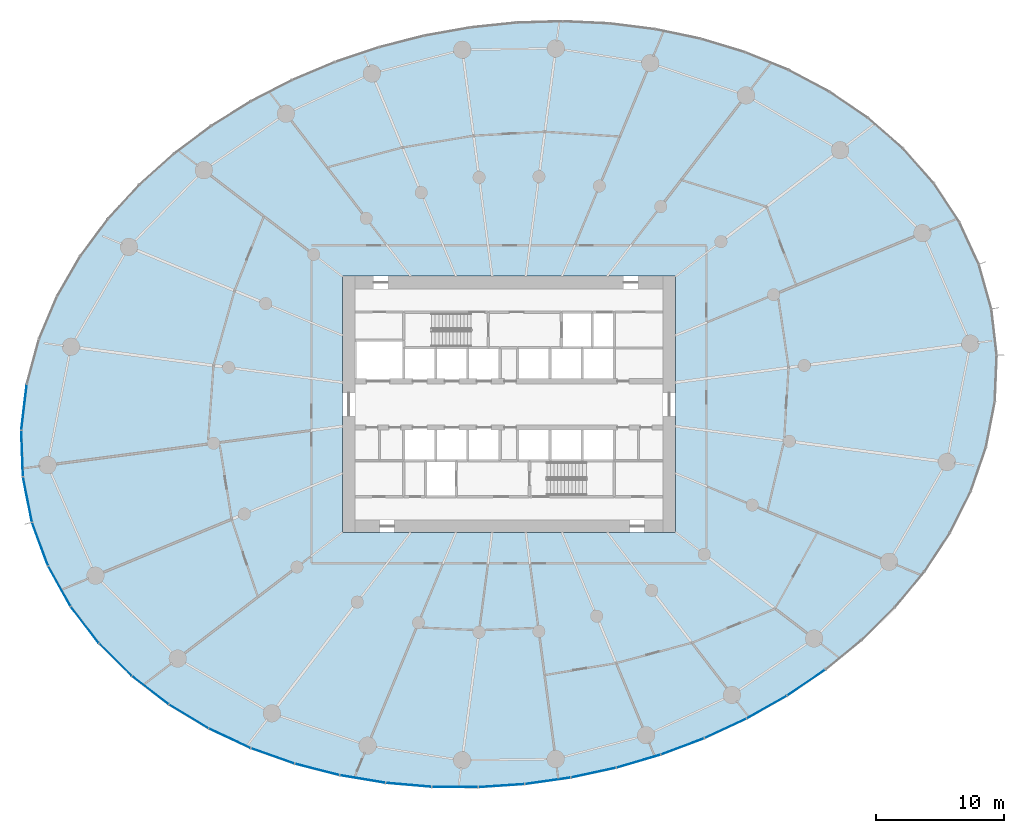
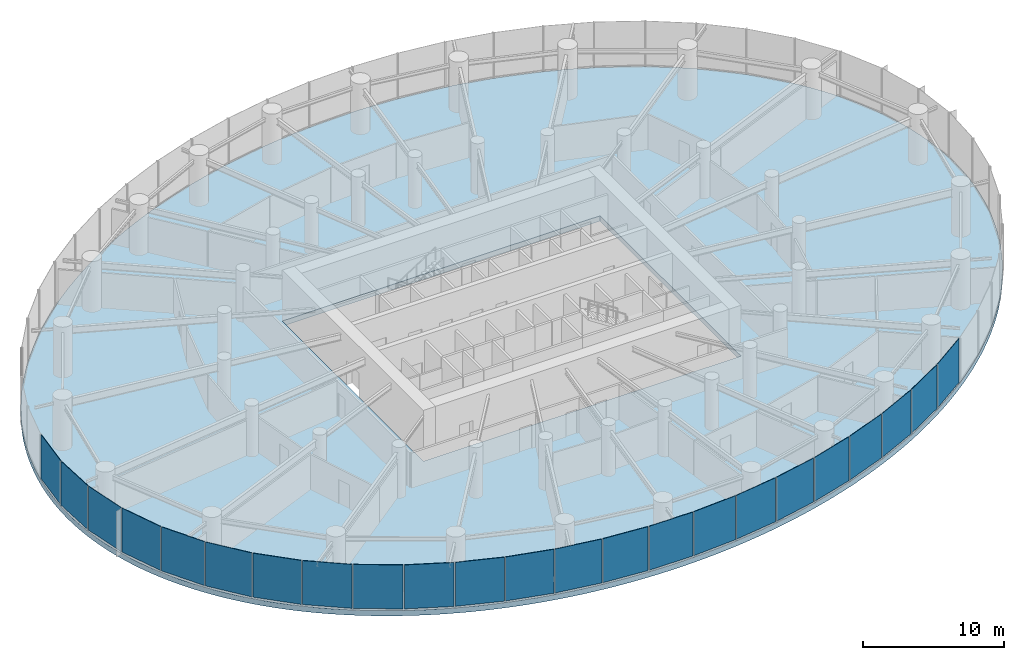
# One storey, part 10 of 19: 23 plates, 1 slab, 5 elements without a shape of their own.
"""IFC4 building model written with IfcOpenShell, lengths in metres."""

from ifc_helpers import new_model, si_unit, direction, frame, origin, origin_2d, place, context, subcontext, project, spatial, line, indexed_curve, rectangle, outline, extrude, source, transform, mapped, material, layer, layer_set, type_object, element, aggregate, save


model = new_model("IFC4")

# Units and contexts
model_context = context("Model", 3, precision=1e-05, world=origin(), true_north=direction((0.0, 1.0)))
body_context = subcontext(model_context, "Body", "Model", "MODEL_VIEW")
ifc_project = project(units=[si_unit("LENGTHUNIT", "METRE"), si_unit("AREAUNIT", "SQUARE_METRE"), si_unit("VOLUMEUNIT", "CUBIC_METRE"), si_unit("PLANEANGLEUNIT", "RADIAN"), si_unit("MASSUNIT", "GRAM", prefix="KILO")], contexts=[model_context])

# Site, building, storey
site_placement = place(None, origin())
site = spatial("IfcSite", under=ifc_project, at=site_placement, CompositionType="ELEMENT")
building_placement = place(site_placement, origin())
building = spatial("IfcBuilding", under=site, at=building_placement, Name="Spindrift Exchange Tower", CompositionType="ELEMENT")
storey_placement = place(building_placement, frame((0.0, 0.0, 57.800048828125)))
storey = spatial("IfcBuildingStorey", under=building, at=storey_placement, Name="L13", CompositionType="ELEMENT", Elevation=57.800048828125)

# Slab
ifc_material_1 = material(Name="Concrete 50 MPa", Category="concrete")
ifc_layer_1 = layer(ifc_material_1, 0.449951171875)
ifc_layer_set_1 = layer_set([ifc_layer_1], Name="RC Floor Slab 450 Concrete 50 MPa")
slab_type = type_object("IfcSlabType", Name="RC Floor Slab 450 Concrete 50 MPa", PredefinedType="FLOOR", material=ifc_layer_set_1)
slab_placement = place(storey_placement, frame((0.0, 0.0, -0.449951171875)))
element("IfcSlab", 1, at=slab_placement, inside=storey, type_object=slab_type, Name="Floor slab L13", PredefinedType="FLOOR", context=body_context, shape_type="SweptSolid", body=[
    extrude(outline(indexed_curve([(89.622802734375, 55.432861328125), (89.5, 56.0146484375), (89.36181640625, 56.593017578125), (89.208740234375, 57.16748046875), (89.04052734375, 57.73779296875), (88.857666015625, 58.3037109375), (88.66015625, 58.864501953125), (88.4482421875, 59.420166015625), (88.222412109375, 59.969970703125), (87.982177734375, 60.513916015625), (87.728515625, 61.0517578125), (87.461181640625, 61.5830078125), (87.180908203125, 62.107421875), (86.8876953125, 62.62451171875), (86.581787109375, 63.134521484375), (86.263671875, 63.63671875), (85.93359375, 64.13134765625), (85.591796875, 64.617919921875), (85.238525390625, 65.096435546875), (84.87451171875, 65.56640625), (84.499755859375, 66.0283203125), (84.11474609375, 66.481201171875), (83.719482421875, 66.925537109375), (83.314697265625, 67.361083984375), (82.900390625, 67.78759765625), (82.477294921875, 68.205322265625), (82.045166015625, 68.614013671875), (81.604736328125, 69.013427734375), (81.15625, 69.40380859375), (80.699951171875, 69.784912109375), (80.236083984375, 70.156982421875), (79.764892578125, 70.519775390625), (79.286865234375, 70.873291015625), (78.802001953125, 71.217529296875), (78.310791015625, 71.552734375), (77.813720703125, 71.878662109375), (77.310302734375, 72.195556640625), (76.801513671875, 72.503173828125), (76.287353515625, 72.8017578125), (75.767822265625, 73.09130859375), (75.24365234375, 73.37158203125), (74.714599609375, 73.64306640625), (73.64306640625, 74.158935546875), (73.10107421875, 74.403564453125), (72.555419921875, 74.639404296875), (71.45263671875, 75.0849609375), (70.896240234375, 75.294677734375), (69.774169921875, 75.688232421875), (69.208740234375, 75.872314453125), (68.06982421875, 76.215087890625), (67.496826171875, 76.3740234375), (66.344482421875, 76.6669921875), (65.76513671875, 76.801025390625), (64.601318359375, 77.045166015625), (63.430908203125, 77.257080078125), (62.843994140625, 77.351318359375), (62.255615234375, 77.4375), (61.07568359375, 77.586669921875), (60.484619140625, 77.6494140625), (59.2998046875, 77.752197265625), (58.11279296875, 77.82470703125), (57.5185546875, 77.849609375), (56.32958984375, 77.877197265625), (55.735107421875, 77.8798828125), (55.140380859375, 77.875), (53.95166015625, 77.843505859375), (53.357666015625, 77.81689453125), (52.1708984375, 77.741943359375), (50.986083984375, 77.638427734375), (50.394775390625, 77.57568359375), (49.80419921875, 77.506103515625), (48.6259765625, 77.345703125), (47.45166015625, 77.1572265625), (46.282470703125, 76.940673828125), (45.11865234375, 76.6962890625), (43.9609375, 76.424072265625), (43.384521484375, 76.277587890625), (42.2373046875, 75.96435546875), (41.666748046875, 75.797119140625), (40.531494140625, 75.442626953125), (39.96728515625, 75.2548828125), (38.845947265625, 74.859375), (37.734619140625, 74.436279296875), (37.182861328125, 74.214599609375), (36.6337890625, 73.986083984375), (35.544677734375, 73.508544921875), (34.468017578125, 73.003662109375), (33.934326171875, 72.7412109375), (33.404296875, 72.4716796875), (32.354736328125, 71.912353515625), (31.3203125, 71.32568359375), (30.80908203125, 71.0224609375), (30.3017578125, 70.712158203125), (29.300048828125, 70.071044921875), (28.31640625, 69.402587890625), (27.831787109375, 69.05810546875), (26.877197265625, 68.34912109375), (26.40771484375, 67.984130859375), (25.48486328125, 67.234130859375), (25.031982421875, 66.848876953125), (24.143798828125, 66.05810546875), (23.708984375, 65.652587890625), (22.8583984375, 64.8212890625), (22.443359375, 64.3955078125), (22.03515625, 63.963134765625), (21.240478515625, 63.07861328125), (20.854248046875, 62.626220703125), (20.47607421875, 62.16748046875), (20.105712890625, 61.702392578125), (19.74365234375, 61.230712890625), (19.389892578125, 60.752685546875), (19.045166015625, 60.268310546875), (18.708984375, 59.777587890625), (18.38232421875, 59.281005859375), (18.06494140625, 58.778076171875), (17.757080078125, 58.269287109375), (17.45947265625, 57.754638671875), (17.171875, 57.234130859375), (16.894775390625, 56.7080078125), (16.62841796875, 56.176513671875), (16.372802734375, 55.639404296875), (16.12890625, 55.097412109375), (15.89599609375, 54.550048828125), (15.67529296875, 53.998046875), (15.466552734375, 53.44140625), (15.27001953125, 52.880126953125), (15.086181640625, 52.314697265625), (14.9150390625, 51.7451171875), (14.757080078125, 51.171875), (14.612548828125, 50.59521484375), (14.4814453125, 50.01513671875), (14.3642578125, 49.43212890625), (14.260986328125, 48.8466796875), (14.172119140625, 48.2587890625), (14.097412109375, 47.668701171875), (14.03759765625, 47.0771484375), (13.992431640625, 46.484375), (13.96240234375, 45.890380859375), (13.947021484375, 45.2958984375), (13.947021484375, 44.701416015625), (13.96240234375, 44.10693359375), (13.9931640625, 43.51318359375), (14.0390625, 42.92041015625), (14.1005859375, 42.3291015625), (14.177490234375, 41.7392578125), (14.26953125, 41.15185546875), (14.377197265625, 40.567138671875), (14.5, 39.9853515625), (14.63818359375, 39.406982421875), (14.791259765625, 38.83251953125), (14.95947265625, 38.26220703125), (15.142333984375, 37.6962890625), (15.33984375, 37.135498046875), (15.5517578125, 36.579833984375), (15.777587890625, 36.030029296875), (16.017822265625, 35.486083984375), (16.271484375, 34.9482421875), (16.538818359375, 34.4169921875), (16.819091796875, 33.892578125), (17.1123046875, 33.37548828125), (17.418212890625, 32.865478515625), (17.736328125, 32.36328125), (18.06640625, 31.86865234375), (18.408203125, 31.382080078125), (18.761474609375, 30.903564453125), (19.12548828125, 30.43359375), (19.500244140625, 29.9716796875), (19.88525390625, 29.518798828125), (20.280517578125, 29.074462890625), (20.685302734375, 28.638916015625), (21.099609375, 28.21240234375), (21.522705078125, 27.794677734375), (21.954833984375, 27.385986328125), (22.395263671875, 26.986572265625), (22.84375, 26.59619140625), (23.300048828125, 26.215087890625), (23.763916015625, 25.843017578125), (24.235107421875, 25.480224609375), (24.713134765625, 25.126708984375), (25.197998046875, 24.782470703125), (25.689208984375, 24.447265625), (26.186279296875, 24.121337890625), (26.689697265625, 23.804443359375), (27.198486328125, 23.496826171875), (27.712646484375, 23.1982421875), (28.232177734375, 22.90869140625), (28.75634765625, 22.62841796875), (29.285400390625, 22.35693359375), (30.35693359375, 21.841064453125), (30.89892578125, 21.596435546875), (31.444580078125, 21.360595703125), (32.54736328125, 20.9150390625), (33.103759765625, 20.705322265625), (34.225830078125, 20.311767578125), (34.791259765625, 20.127685546875), (35.93017578125, 19.784912109375), (36.503173828125, 19.6259765625), (37.655517578125, 19.3330078125), (38.23486328125, 19.198974609375), (39.398681640625, 18.954833984375), (40.569091796875, 18.742919921875), (41.156005859375, 18.648681640625), (41.744384765625, 18.5625), (42.92431640625, 18.413330078125), (43.515380859375, 18.3505859375), (44.7001953125, 18.247802734375), (45.88720703125, 18.17529296875), (46.4814453125, 18.150390625), (47.67041015625, 18.122802734375), (48.264892578125, 18.1201171875), (48.859619140625, 18.125), (50.04833984375, 18.156494140625), (50.642333984375, 18.18310546875), (51.8291015625, 18.258056640625), (53.013916015625, 18.361572265625), (53.605224609375, 18.42431640625), (54.19580078125, 18.493896484375), (55.3740234375, 18.654296875), (56.54833984375, 18.8427734375), (57.717529296875, 19.059326171875), (58.88134765625, 19.3037109375), (60.0390625, 19.575927734375), (60.615478515625, 19.722412109375), (61.7626953125, 20.03564453125), (62.333251953125, 20.202880859375), (63.468505859375, 20.557373046875), (64.03271484375, 20.7451171875), (65.154052734375, 21.140625), (66.265380859375, 21.563720703125), (66.817138671875, 21.785400390625), (67.3662109375, 22.013916015625), (68.455322265625, 22.491455078125), (69.531982421875, 22.996337890625), (70.065673828125, 23.2587890625), (70.595703125, 23.5283203125), (71.645263671875, 24.087646484375), (72.6796875, 24.67431640625), (73.19091796875, 24.9775390625), (73.6982421875, 25.287841796875), (74.699951171875, 25.928955078125), (75.68359375, 26.597412109375), (76.168212890625, 26.94189453125), (77.122802734375, 27.65087890625), (77.59228515625, 28.015869140625), (78.51513671875, 28.765869140625), (78.968017578125, 29.151123046875), (79.856201171875, 29.94189453125), (80.291015625, 30.347412109375), (81.1416015625, 31.1787109375), (81.556640625, 31.6044921875), (81.96484375, 32.036865234375), (82.759521484375, 32.92138671875), (83.145751953125, 33.373779296875), (83.52392578125, 33.83251953125), (83.894287109375, 34.297607421875), (84.25634765625, 34.769287109375), (84.610107421875, 35.247314453125), (84.954833984375, 35.731689453125), (85.291015625, 36.222412109375), (85.61767578125, 36.718994140625), (85.93505859375, 37.221923828125), (86.242919921875, 37.730712890625), (86.54052734375, 38.245361328125), (86.828125, 38.765869140625), (87.105224609375, 39.2919921875), (87.37158203125, 39.823486328125), (87.627197265625, 40.360595703125), (87.87109375, 40.902587890625), (88.10400390625, 41.449951171875), (88.32470703125, 42.001953125), (88.533447265625, 42.55859375), (88.72998046875, 43.119873046875), (88.913818359375, 43.685302734375), (89.0849609375, 44.2548828125), (89.242919921875, 44.828125), (89.387451171875, 45.40478515625), (89.5185546875, 45.98486328125), (89.6357421875, 46.56787109375), (89.739013671875, 47.1533203125), (89.827880859375, 47.7412109375), (89.902587890625, 48.331298828125), (89.96240234375, 48.9228515625), (90.007568359375, 49.515625), (90.03759765625, 50.109619140625), (90.052978515625, 50.7041015625), (90.052978515625, 51.298583984375), (90.03759765625, 51.89306640625), (90.0068359375, 52.48681640625), (89.9609375, 53.07958984375), (89.8994140625, 53.6708984375), (89.822509765625, 54.2607421875), (89.73046875, 54.84814453125)], segments=[line(1, 2, 3, 4, 5, 6, 7, 8, 9, 10, 11, 12, 13, 14, 15, 16, 17, 18, 19, 20, 21, 22, 23, 24, 25, 26, 27, 28, 29, 30, 31, 32, 33, 34, 35, 36, 37, 38, 39, 40, 41, 42, 43, 44, 45, 46, 47, 48, 49, 50, 51, 52, 53, 54, 55, 56, 57, 58, 59, 60, 61, 62, 63, 64, 65, 66, 67, 68, 69, 70, 71, 72, 73, 74, 75, 76, 77, 78, 79, 80, 81, 82, 83, 84, 85, 86, 87, 88, 89, 90, 91, 92, 93, 94, 95, 96, 97, 98, 99, 100, 101, 102, 103, 104, 105, 106, 107, 108, 109, 110, 111, 112, 113, 114, 115, 116, 117, 118, 119, 120, 121, 122, 123, 124, 125, 126, 127, 128, 129, 130, 131, 132, 133, 134, 135, 136, 137, 138, 139, 140, 141, 142, 143, 144, 145, 146, 147, 148, 149, 150, 151, 152, 153, 154, 155, 156, 157, 158, 159, 160, 161, 162, 163, 164, 165, 166, 167, 168, 169, 170, 171, 172, 173, 174, 175, 176, 177, 178, 179, 180, 181, 182, 183, 184, 185, 186, 187, 188, 189, 190, 191, 192, 193, 194, 195, 196, 197, 198, 199, 200, 201, 202, 203, 204, 205, 206, 207, 208, 209, 210, 211, 212, 213, 214, 215, 216, 217, 218, 219, 220, 221, 222, 223, 224, 225, 226, 227, 228, 229, 230, 231, 232, 233, 234, 235, 236, 237, 238, 239, 240, 241, 242, 243, 244, 245, 246, 247, 248, 249, 250, 251, 252, 253, 254, 255, 256, 257, 258, 259, 260, 261, 262, 263, 264, 265, 266, 267, 268, 269, 270, 271, 272, 273, 274, 275, 276, 277, 278, 279, 280, 281, 282, 283, 284, 285, 286, 287, 288, 289, 290, 291, 292, 1)], self_intersect=False), holes=[indexed_curve([(39.0, 38.0), (65.0, 38.0), (65.0, 58.0), (39.0, 58.0)], segments=[line(1, 2, 3, 4, 1)], self_intersect=False)]), origin(), (0.0, 0.0, 1.0), 0.449951171875),
])

# Curtain wall, plates
ifc_material_2 = material(Name="Fritted laminated glass with bronze frame", Category="glass")
ifc_layer_2 = layer(ifc_material_2, 0.199951171875)
ifc_layer_set_2 = layer_set([ifc_layer_2], Name="ZONE 1 BRONZE FRITTED WALL")
curtain_wall_type = type_object("IfcCurtainWallType", Name="ZONE 1 BRONZE FRITTED WALL", PredefinedType="NOTDEFINED", material=ifc_layer_set_2)
curtain_wall_1_placement = place(storey_placement, origin())
curtain_wall_1 = element("IfcCurtainWall", 2, at=curtain_wall_1_placement, inside=storey, type_object=curtain_wall_type, Name="L13 Zone 1 Bronze Fritted Wall run 8", PredefinedType="NOTDEFINED")
ifc_material_3 = material(Name="Bronze fritted laminated glass, dense frit", Category="glass")
ifc_layer_3 = layer(ifc_material_3, 0.035888671875)
ifc_layer_set_3 = layer_set([ifc_layer_3], Name="ZONE 1 BRONZE FRITTED WALL PANEL DENSE FRIT 420")
plate_type_1 = type_object("IfcPlateType", Name="ZONE 1 BRONZE FRITTED WALL PANEL DENSE FRIT 420", PredefinedType="CURTAIN_PANEL", material=ifc_layer_set_3)
shared_shape_1 = source(origin(), body_context, "Body", "SweptSolid", [
    extrude(rectangle(XDim=3.547119140625, YDim=0.035888671875, at=origin_2d()), origin(), (0.0, 0.0, 1.0), 3.800048828125),
])
plate_1_placement = place(storey_placement, frame((68.88916015625, 22.7294921875, 0.14990234375), z_axis=(0.0, 0.0, 1.0), x_axis=(0.906312212635, 0.422608770885, 0.0)))
plate_1 = element("IfcPlate", 3, at=plate_1_placement, type_object=plate_type_1, Name="L13 panel CW-1.48", PredefinedType="CURTAIN_PANEL", context=body_context, shape_type="MappedRepresentation", body=[
    mapped(shared_shape_1, transform((0.0, 0.0, 0.0), scale=1.0)),
])
ifc_layer_4 = layer(ifc_material_3, 0.035888671875)
ifc_layer_set_4 = layer_set([ifc_layer_4], Name="ZONE 1 BRONZE FRITTED WALL PANEL DENSE FRIT 300")
plate_type_2 = type_object("IfcPlateType", Name="ZONE 1 BRONZE FRITTED WALL PANEL DENSE FRIT 300", PredefinedType="CURTAIN_PANEL", material=ifc_layer_set_4)
shared_shape_2 = source(origin(), body_context, "Body", "SweptSolid", [
    extrude(rectangle(XDim=3.54736328125, YDim=0.035888671875, at=origin_2d()), origin(), (0.0, 0.0, 1.0), 3.800048828125),
])
plate_2_placement = place(storey_placement, frame((65.54833984375, 21.323486328125, 0.14990234375), z_axis=(0.0, 0.0, 1.0), x_axis=(0.935753370597, 0.352655113981, 0.0)))
plate_2 = element("IfcPlate", 4, at=plate_2_placement, type_object=plate_type_2, Name="L13 panel CW-1.47", PredefinedType="CURTAIN_PANEL", context=body_context, shape_type="MappedRepresentation", body=[
    mapped(shared_shape_2, transform((0.0, 0.0, 0.0), scale=1.0)),
])

# Curtain wall, plate
curtain_wall_2_placement = place(storey_placement, origin())
curtain_wall_2 = element("IfcCurtainWall", 5, at=curtain_wall_2_placement, inside=storey, type_object=curtain_wall_type, Name="L13 Zone 1 Bronze Fritted Wall run 9", PredefinedType="NOTDEFINED")
plate_3_placement = place(storey_placement, frame((72.111328125, 24.389404296875, 0.14990234375), z_axis=(0.0, 0.0, 1.0), x_axis=(0.870288651458, 0.492542042006, 0.0)))
plate_3 = element("IfcPlate", 6, at=plate_3_placement, type_object=plate_type_2, Name="L13 panel CW-1.49", PredefinedType="CURTAIN_PANEL", context=body_context, shape_type="MappedRepresentation", body=[
    mapped(shared_shape_2, transform((0.0, 0.0, 0.0), scale=1.0)),
])

curtain_wall_3_placement = place(storey_placement, origin())
curtain_wall_3 = element("IfcCurtainWall", 7, at=curtain_wall_3_placement, inside=storey, type_object=curtain_wall_type, Name="L13 Zone 1 Bronze Fritted Wall run 7", PredefinedType="NOTDEFINED")
ifc_layer_5 = layer(ifc_material_3, 0.035888671875)
ifc_layer_set_5 = layer_set([ifc_layer_5], Name="ZONE 1 BRONZE FRITTED WALL PANEL DENSE FRIT 180")
plate_type_3 = type_object("IfcPlateType", Name="ZONE 1 BRONZE FRITTED WALL PANEL DENSE FRIT 180", PredefinedType="CURTAIN_PANEL", material=ifc_layer_set_5)
shared_shape_3 = source(origin(), body_context, "Body", "SweptSolid", [
    extrude(rectangle(XDim=3.54736328125, YDim=0.035888671875, at=origin_2d()), origin(), (0.0, 0.0, 1.0), 3.800048828125),
])
plate_4_placement = place(storey_placement, frame((44.180908203125, 18.32470703125, 0.14990234375), z_axis=(0.0, 0.0, 1.0), x_axis=(0.996374457702, -0.08507608383, 0.0)))
plate_4 = element("IfcPlate", 8, at=plate_4_placement, type_object=plate_type_3, Name="L13 panel CW-1.41", PredefinedType="CURTAIN_PANEL", context=body_context, shape_type="MappedRepresentation", body=[
    mapped(shared_shape_3, transform((0.0, 0.0, 0.0), scale=1.0)),
])

# Plate
plate_5_placement = place(storey_placement, frame((58.598876953125, 19.275634765625, 0.14990234375), z_axis=(0.0, 0.0, 1.0), x_axis=(0.977347609537, 0.211640379256, 0.0)))
plate_5 = element("IfcPlate", 9, at=plate_5_placement, type_object=plate_type_3, Name="L13 panel CW-1.45", PredefinedType="CURTAIN_PANEL", context=body_context, shape_type="MappedRepresentation", body=[
    mapped(shared_shape_3, transform((0.0, 0.0, 0.0), scale=1.0)),
])

shared_shape_4 = source(origin(), body_context, "Body", "SweptSolid", [
    extrude(rectangle(XDim=3.54736328125, YDim=0.035888671875, at=origin_2d()), origin(), (0.0, 0.0, 1.0), 3.800048828125),
])
plate_6_placement = place(storey_placement, frame((47.801513671875, 18.156005859375, 0.14990234375), z_axis=(0.0, 0.0, 1.0), x_axis=(0.999968260213, -0.00796734374, 0.0)))
plate_6 = element("IfcPlate", 10, at=plate_6_placement, type_object=plate_type_1, Name="L13 panel CW-1.42", PredefinedType="CURTAIN_PANEL", context=body_context, shape_type="MappedRepresentation", body=[
    mapped(shared_shape_4, transform((0.0, 0.0, 0.0), scale=1.0)),
])

plate_7_placement = place(storey_placement, frame((51.4248046875, 18.262939453125, 0.14990234375), z_axis=(0.0, 0.0, 1.0), x_axis=(0.997762898417, 0.066852064616, 0.0)))
plate_7 = element("IfcPlate", 11, at=plate_7_placement, type_object=plate_type_1, Name="L13 panel CW-1.43", PredefinedType="CURTAIN_PANEL", context=body_context, shape_type="MappedRepresentation", body=[
    mapped(shared_shape_4, transform((0.0, 0.0, 0.0), scale=1.0)),
])

plate_8_placement = place(storey_placement, frame((55.0302734375, 18.637939453125, 0.14990234375), z_axis=(0.0, 0.0, 1.0), x_axis=(0.990160655251, 0.139935259288, 0.0)))
plate_8 = element("IfcPlate", 12, at=plate_8_placement, type_object=plate_type_1, Name="L13 panel CW-1.44", PredefinedType="CURTAIN_PANEL", context=body_context, shape_type="MappedRepresentation", body=[
    mapped(shared_shape_4, transform((0.0, 0.0, 0.0), scale=1.0)),
])

shared_shape_5 = source(origin(), body_context, "Body", "SweptSolid", [
    extrude(rectangle(XDim=3.547119140625, YDim=0.035888671875, at=origin_2d()), origin(), (0.0, 0.0, 1.0), 3.800048828125),
])
plate_9_placement = place(storey_placement, frame((37.039306640625, 19.526123046875, 0.14990234375), z_axis=(0.0, 0.0, 1.0), x_axis=(0.968839599141, -0.247688980653, 0.0)))
plate_9 = element("IfcPlate", 13, at=plate_9_placement, type_object=plate_type_3, Name="L13 panel CW-1.39", PredefinedType="CURTAIN_PANEL", context=body_context, shape_type="MappedRepresentation", body=[
    mapped(shared_shape_5, transform((0.0, 0.0, 0.0), scale=1.0)),
])

plate_10_placement = place(storey_placement, frame((40.585205078125, 18.778076171875, 0.14990234375), z_axis=(0.0, 0.0, 1.0), x_axis=(0.986320147395, -0.164841035069, 0.0)))
plate_10 = element("IfcPlate", 14, at=plate_10_placement, type_object=plate_type_3, Name="L13 panel CW-1.40", PredefinedType="CURTAIN_PANEL", context=body_context, shape_type="MappedRepresentation", body=[
    mapped(shared_shape_5, transform((0.0, 0.0, 0.0), scale=1.0)),
])

plate_11_placement = place(storey_placement, frame((75.189208984375, 26.302734375, 0.14990234375), z_axis=(0.0, 0.0, 1.0), x_axis=(0.826770446003, 0.562539447165, 0.0)))
plate_11 = element("IfcPlate", 15, at=plate_11_placement, type_object=plate_type_3, Name="L13 panel CW-1.50", PredefinedType="CURTAIN_PANEL", context=body_context, shape_type="MappedRepresentation", body=[
    mapped(shared_shape_5, transform((0.0, 0.0, 0.0), scale=1.0)),
])

aggregate(curtain_wall_2, [plate_3, plate_11])

shared_shape_6 = source(origin(), body_context, "Body", "SweptSolid", [
    extrude(rectangle(XDim=3.546875, YDim=0.035888671875, at=origin_2d()), origin(), (0.0, 0.0, 1.0), 3.800048828125),
])
plate_12_placement = place(storey_placement, frame((33.572998046875, 20.5810546875, 0.14990234375), z_axis=(0.0, 0.0, 1.0), x_axis=(0.942600119051, -0.333923667274, 0.0)))
plate_12 = element("IfcPlate", 16, at=plate_12_placement, type_object=plate_type_1, Name="L13 panel CW-1.38", PredefinedType="CURTAIN_PANEL", context=body_context, shape_type="MappedRepresentation", body=[
    mapped(shared_shape_6, transform((0.0, 0.0, 0.0), scale=1.0)),
])

shared_shape_7 = source(origin(), body_context, "Body", "SweptSolid", [
    extrude(rectangle(XDim=3.546630859375, YDim=0.035888671875, at=origin_2d()), origin(), (0.0, 0.0, 1.0), 3.800048828125),
])
plate_13_placement = place(storey_placement, frame((30.220703125, 21.95458984375, 0.14990234375), z_axis=(0.0, 0.0, 1.0), x_axis=(0.905885423682, -0.423522843729, 0.0)))
plate_13 = element("IfcPlate", 17, at=plate_13_placement, type_object=plate_type_3, Name="L13 panel CW-1.37", PredefinedType="CURTAIN_PANEL", context=body_context, shape_type="MappedRepresentation", body=[
    mapped(shared_shape_7, transform((0.0, 0.0, 0.0), scale=1.0)),
])

aggregate(curtain_wall_3, [plate_13, plate_12, plate_9, plate_10, plate_4, plate_6])

# Curtain wall, plate
curtain_wall_4_placement = place(storey_placement, origin())
curtain_wall_4 = element("IfcCurtainWall", 18, at=curtain_wall_4_placement, inside=storey, type_object=curtain_wall_type, Name="L13 Zone 1 Bronze Fritted Wall run 6", PredefinedType="NOTDEFINED")
shared_shape_8 = source(origin(), body_context, "Body", "SweptSolid", [
    extrude(rectangle(XDim=3.545654296875, YDim=0.035888671875, at=origin_2d()), origin(), (0.0, 0.0, 1.0), 3.800048828125),
])
plate_14_placement = place(storey_placement, frame((21.31201171875, 28.083251953125, 0.14990234375), z_axis=(0.0, 0.0, 1.0), x_axis=(0.710120249498, -0.704080415331, 0.0)))
plate_14 = element("IfcPlate", 19, at=plate_14_placement, type_object=plate_type_3, Name="L13 panel CW-1.34", PredefinedType="CURTAIN_PANEL", context=body_context, shape_type="MappedRepresentation", body=[
    mapped(shared_shape_8, transform((0.0, 0.0, 0.0), scale=1.0)),
])

curtain_wall_5_placement = place(storey_placement, origin())
curtain_wall_5 = element("IfcCurtainWall", 20, at=curtain_wall_5_placement, inside=storey, type_object=curtain_wall_type, Name="L13 Zone 1 Bronze Fritted Wall run 5", PredefinedType="NOTDEFINED")
shared_shape_9 = source(origin(), body_context, "Body", "SweptSolid", [
    extrude(rectangle(XDim=3.54443359375, YDim=0.035888671875, at=origin_2d()), origin(), (0.0, 0.0, 1.0), 3.800048828125),
])
plate_15_placement = place(storey_placement, frame((14.031494140625, 44.170166015625, 0.14990234375), z_axis=(0.0, 0.0, 1.0), x_axis=(0.036171038057, -0.999345613892, 0.0)))
plate_15 = element("IfcPlate", 21, at=plate_15_placement, type_object=plate_type_2, Name="L13 panel CW-1.29", PredefinedType="CURTAIN_PANEL", context=body_context, shape_type="MappedRepresentation", body=[
    mapped(shared_shape_9, transform((0.0, 0.0, 0.0), scale=1.0)),
])

# Plate
plate_16_placement = place(storey_placement, frame((15.427490234375, 37.103515625, 0.14990234375), z_axis=(0.0, 0.0, 1.0), x_axis=(0.346557493714, -0.938028732796, 0.0)))
plate_16 = element("IfcPlate", 22, at=plate_16_placement, type_object=plate_type_2, Name="L13 panel CW-1.31", PredefinedType="CURTAIN_PANEL", context=body_context, shape_type="MappedRepresentation", body=[
    mapped(shared_shape_9, transform((0.0, 0.0, 0.0), scale=1.0)),
])

shared_shape_10 = source(origin(), body_context, "Body", "SweptSolid", [
    extrude(rectangle(XDim=3.544921875, YDim=0.035888671875, at=origin_2d()), origin(), (0.0, 0.0, 1.0), 3.800048828125),
])
plate_17_placement = place(storey_placement, frame((16.9375, 33.820068359375, 0.14990234375), z_axis=(0.0, 0.0, 1.0), x_axis=(0.486542769471, -0.873656759532, 0.0)))
plate_17 = element("IfcPlate", 23, at=plate_17_placement, type_object=plate_type_1, Name="L13 panel CW-1.32", PredefinedType="CURTAIN_PANEL", context=body_context, shape_type="MappedRepresentation", body=[
    mapped(shared_shape_10, transform((0.0, 0.0, 0.0), scale=1.0)),
])

shared_shape_11 = source(origin(), body_context, "Body", "SweptSolid", [
    extrude(rectangle(XDim=3.545166015625, YDim=0.035888671875, at=origin_2d()), origin(), (0.0, 0.0, 1.0), 3.800048828125),
])
plate_18_placement = place(storey_placement, frame((18.922119140625, 30.798095703125, 0.14990234375), z_axis=(0.0, 0.0, 1.0), x_axis=(0.608401354017, -0.793629505771, 0.0)))
plate_18 = element("IfcPlate", 24, at=plate_18_placement, type_object=plate_type_2, Name="L13 panel CW-1.33", PredefinedType="CURTAIN_PANEL", context=body_context, shape_type="MappedRepresentation", body=[
    mapped(shared_shape_11, transform((0.0, 0.0, 0.0), scale=1.0)),
])

shared_shape_12 = source(origin(), body_context, "Body", "SweptSolid", [
    extrude(rectangle(XDim=3.54638671875, YDim=0.035888671875, at=origin_2d()), origin(), (0.0, 0.0, 1.0), 3.800048828125),
])
plate_19_placement = place(storey_placement, frame((27.02490234375, 23.658203125, 0.14990234375), z_axis=(0.0, 0.0, 1.0), x_axis=(0.856568947667, -0.516032593828, 0.0)))
plate_19 = element("IfcPlate", 25, at=plate_19_placement, type_object=plate_type_3, Name="L13 panel CW-1.36", PredefinedType="CURTAIN_PANEL", context=body_context, shape_type="MappedRepresentation", body=[
    mapped(shared_shape_12, transform((0.0, 0.0, 0.0), scale=1.0)),
])

shared_shape_13 = source(origin(), body_context, "Body", "SweptSolid", [
    extrude(rectangle(XDim=3.5458984375, YDim=0.035888671875, at=origin_2d()), origin(), (0.0, 0.0, 1.0), 3.800048828125),
])
plate_20_placement = place(storey_placement, frame((24.03564453125, 25.7001953125, 0.14990234375), z_axis=(0.0, 0.0, 1.0), x_axis=(0.792162902668, -0.610309704689, 0.0)))
plate_20 = element("IfcPlate", 26, at=plate_20_placement, type_object=plate_type_2, Name="L13 panel CW-1.35", PredefinedType="CURTAIN_PANEL", context=body_context, shape_type="MappedRepresentation", body=[
    mapped(shared_shape_13, transform((0.0, 0.0, 0.0), scale=1.0)),
])

aggregate(curtain_wall_4, [plate_16, plate_17, plate_18, plate_14, plate_20, plate_19])

shared_shape_14 = source(origin(), body_context, "Body", "SweptSolid", [
    extrude(rectangle(XDim=3.547607421875, YDim=0.035888671875, at=origin_2d()), origin(), (0.0, 0.0, 1.0), 3.800048828125),
])
plate_21_placement = place(storey_placement, frame((62.111328125, 20.171630859375, 0.14990234375), z_axis=(0.0, 0.0, 1.0), x_axis=(0.959288839021, 0.28242684598, 0.0)))
plate_21 = element("IfcPlate", 27, at=plate_21_placement, type_object=plate_type_3, Name="L13 panel CW-1.46", PredefinedType="CURTAIN_PANEL", context=body_context, shape_type="MappedRepresentation", body=[
    mapped(shared_shape_14, transform((0.0, 0.0, 0.0), scale=1.0)),
])

aggregate(curtain_wall_1, [plate_7, plate_8, plate_5, plate_21, plate_2, plate_1])

shared_shape_15 = source(origin(), body_context, "Body", "SweptSolid", [
    extrude(rectangle(XDim=3.544921875, YDim=0.035888671875, at=origin_2d()), origin(), (0.0, 0.0, 1.0), 3.800048828125),
])
plate_22_placement = place(storey_placement, frame((14.17919921875, 47.781005859375, 0.14990234375), z_axis=(0.0, 0.0, 1.0), x_axis=(-0.117743649461, -0.993044023703, 0.0)))
plate_22 = element("IfcPlate", 28, at=plate_22_placement, type_object=plate_type_2, Name="L13 panel CW-1.28", PredefinedType="CURTAIN_PANEL", context=body_context, shape_type="MappedRepresentation", body=[
    mapped(shared_shape_15, transform((0.0, 0.0, 0.0), scale=1.0)),
])

shared_shape_16 = source(origin(), body_context, "Body", "SweptSolid", [
    extrude(rectangle(XDim=3.544189453125, YDim=0.035888671875, at=origin_2d()), origin(), (0.0, 0.0, 1.0), 3.800048828125),
])
plate_23_placement = place(storey_placement, frame((14.4482421875, 40.581298828125, 0.14990234375), z_axis=(0.0, 0.0, 1.0), x_axis=(0.193828569349, -0.981035415112, 0.0)))
plate_23 = element("IfcPlate", 29, at=plate_23_placement, type_object=plate_type_2, Name="L13 panel CW-1.30", PredefinedType="CURTAIN_PANEL", context=body_context, shape_type="MappedRepresentation", body=[
    mapped(shared_shape_16, transform((0.0, 0.0, 0.0), scale=1.0)),
])

aggregate(curtain_wall_5, [plate_22, plate_15, plate_23])

save(model, "model.ifc")
